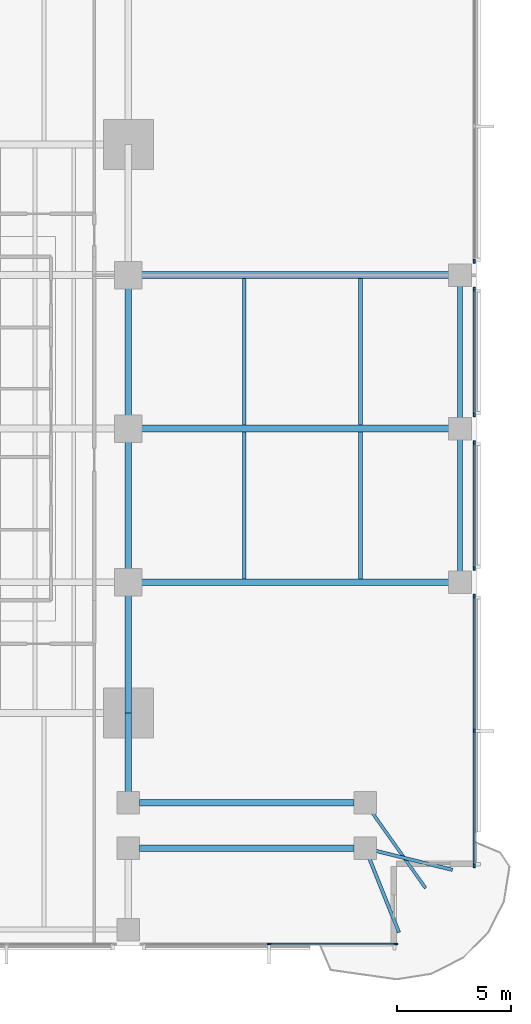
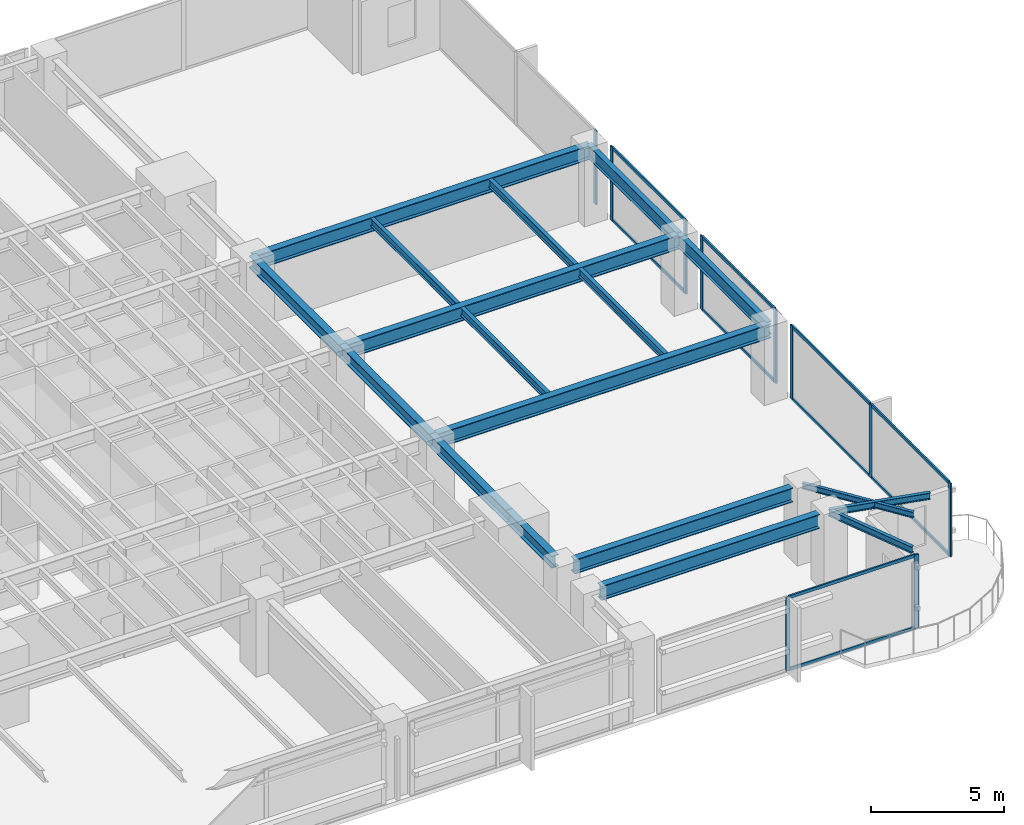
# One storey, part 4 of 15: 20 members, 18 beams, 5 elements without a shape of their own.
"""IFC4 building model written with IfcOpenShell, lengths in metres."""

from ifc_helpers import new_model, si_unit, direction, frame, origin, origin_2d, place, context, subcontext, project, spatial, rectangle, i_section, extrude, material, layer, layer_set, material_profile, profile_set, type_object, element, aggregate, save


model = new_model("IFC4")

# Units and contexts
model_context = context("Model", 3, precision=1e-05, world=origin(), true_north=direction((0.0, 1.0)))
body_context = subcontext(model_context, "Body", "Model", "MODEL_VIEW")
ifc_project = project(units=[si_unit("LENGTHUNIT", "METRE"), si_unit("AREAUNIT", "SQUARE_METRE"), si_unit("VOLUMEUNIT", "CUBIC_METRE"), si_unit("PLANEANGLEUNIT", "RADIAN"), si_unit("MASSUNIT", "GRAM", prefix="KILO")], contexts=[model_context])

# Site, building, storey
site_placement = place(None, origin())
site = spatial("IfcSite", under=ifc_project, at=site_placement, CompositionType="ELEMENT")
building_placement = place(site_placement, origin())
building = spatial("IfcBuilding", under=site, at=building_placement, Name="Kinhvarn Gate Tower", CompositionType="ELEMENT")
storey_placement = place(building_placement, frame((0.0, 0.0, 75.300048828125)))
storey = spatial("IfcBuildingStorey", under=building, at=storey_placement, Name="L19", CompositionType="ELEMENT", Elevation=75.300048828125)

# Curtain wall, members
ifc_material_1 = material(Name="Anodised aluminium AW-6063", Category="aluminium")
ifc_layer = layer(ifc_material_1, 0.179931640625)
ifc_layer_set = layer_set([ifc_layer], Name="Anodised aluminium AW-6063")
curtain_wall_type = type_object("IfcCurtainWallType", Name="CW-SYS-2", PredefinedType="NOTDEFINED", material=ifc_layer_set)
curtain_wall_1_placement = place(storey_placement, origin())
curtain_wall_1 = element("IfcCurtainWall", 1, at=curtain_wall_1_placement, inside=storey, type_object=curtain_wall_type, Name="Curtain Wall CW2 (L19)", PredefinedType="NOTDEFINED")
ifc_material_profile_1 = material_profile(ifc_material_1, rectangle(XDim=0.070068359375, YDim=0.179931640625, at=origin_2d()), Name="ALU 70x180")
ifc_profile_set_1 = profile_set([ifc_material_profile_1], Name="Anodised aluminium AW-6063")
member_type_1 = type_object("IfcMemberType", Name="CW-MUL-180", PredefinedType="MULLION", material=ifc_profile_set_1)
member_1_placement = place(storey_placement, frame((44.389892578125, 2.590087890625, 0.0), z_axis=(0.0, 0.0, 1.0), x_axis=(0.0, 1.0, 0.0)))
member_1 = element("IfcMember", 2, at=member_1_placement, type_object=member_type_1, Name="CW2 mullion 2", PredefinedType="MULLION", context=body_context, shape_type="SweptSolid", body=[
    extrude(rectangle(XDim=0.070068359375, YDim=0.179931640625, at=origin_2d()), origin(), (0.0, 0.0, 1.0), 3.369873046875),
])
member_2_placement = place(storey_placement, frame((49.965087890625, 2.590087890625, 0.0), z_axis=(0.0, 0.0, 1.0), x_axis=(0.0, 1.0, 0.0)))
member_2 = element("IfcMember", 3, at=member_2_placement, type_object=member_type_1, Name="CW2 mullion 3", PredefinedType="MULLION", context=body_context, shape_type="SweptSolid", body=[
    extrude(rectangle(XDim=0.070068359375, YDim=0.179931640625, at=origin_2d()), origin(), (0.0, 0.0, 1.0), 3.369873046875),
])

curtain_wall_2_placement = place(storey_placement, origin())
curtain_wall_2 = element("IfcCurtainWall", 4, at=curtain_wall_2_placement, inside=storey, type_object=curtain_wall_type, Name="Curtain Wall CW2 (L19)", PredefinedType="NOTDEFINED")
member_3_placement = place(storey_placement, frame((53.409912109375, 6.034912109375, 0.0), z_axis=(0.0, 0.0, 1.0), x_axis=(-1.0, 0.0, 0.0)))
member_3 = element("IfcMember", 5, at=member_3_placement, type_object=member_type_1, Name="CW2 mullion 1", PredefinedType="MULLION", context=body_context, shape_type="SweptSolid", body=[
    extrude(rectangle(XDim=0.070068359375, YDim=0.179931640625, at=origin_2d()), origin(), (0.0, 0.0, 1.0), 3.369873046875),
])
member_4_placement = place(storey_placement, frame((53.409912109375, 11.9599609375, 0.0), z_axis=(0.0, 0.0, 1.0), x_axis=(-1.0, 0.0, 0.0)))
member_4 = element("IfcMember", 6, at=member_4_placement, type_object=member_type_1, Name="CW2 mullion 2", PredefinedType="MULLION", context=body_context, shape_type="SweptSolid", body=[
    extrude(rectangle(XDim=0.070068359375, YDim=0.179931640625, at=origin_2d()), origin(), (0.0, 0.0, 1.0), 3.369873046875),
])
member_5_placement = place(storey_placement, frame((53.409912109375, 17.885009765625, 0.0), z_axis=(0.0, 0.0, 1.0), x_axis=(-1.0, 0.0, 0.0)))
member_5 = element("IfcMember", 7, at=member_5_placement, type_object=member_type_1, Name="CW2 mullion 3", PredefinedType="MULLION", context=body_context, shape_type="SweptSolid", body=[
    extrude(rectangle(XDim=0.070068359375, YDim=0.179931640625, at=origin_2d()), origin(), (0.0, 0.0, 1.0), 3.369873046875),
])

curtain_wall_3_placement = place(storey_placement, origin())
curtain_wall_3 = element("IfcCurtainWall", 8, at=curtain_wall_3_placement, inside=storey, type_object=curtain_wall_type, Name="Curtain Wall CW2 (L19)", PredefinedType="NOTDEFINED")
member_6_placement = place(storey_placement, frame((53.409912109375, 19.114990234375, 0.0), z_axis=(0.0, 0.0, 1.0), x_axis=(-1.0, 0.0, 0.0)))
member_6 = element("IfcMember", 9, at=member_6_placement, type_object=member_type_1, Name="CW2 mullion 1", PredefinedType="MULLION", context=body_context, shape_type="SweptSolid", body=[
    extrude(rectangle(XDim=0.070068359375, YDim=0.179931640625, at=origin_2d()), origin(), (0.0, 0.0, 1.0), 3.369873046875),
])
member_7_placement = place(storey_placement, frame((53.409912109375, 24.635009765625, 0.0), z_axis=(0.0, 0.0, 1.0), x_axis=(-1.0, 0.0, 0.0)))
member_7 = element("IfcMember", 10, at=member_7_placement, type_object=member_type_1, Name="CW2 mullion 2", PredefinedType="MULLION", context=body_context, shape_type="SweptSolid", body=[
    extrude(rectangle(XDim=0.070068359375, YDim=0.179931640625, at=origin_2d()), origin(), (0.0, 0.0, 1.0), 3.369873046875),
])

curtain_wall_4_placement = place(storey_placement, origin())
curtain_wall_4 = element("IfcCurtainWall", 11, at=curtain_wall_4_placement, inside=storey, type_object=curtain_wall_type, Name="Curtain Wall CW2 (L19)", PredefinedType="NOTDEFINED")
member_8_placement = place(storey_placement, frame((53.409912109375, 25.864990234375, 0.0), z_axis=(0.0, 0.0, 1.0), x_axis=(-1.0, 0.0, 0.0)))
member_8 = element("IfcMember", 12, at=member_8_placement, type_object=member_type_1, Name="CW2 mullion 1", PredefinedType="MULLION", context=body_context, shape_type="SweptSolid", body=[
    extrude(rectangle(XDim=0.070068359375, YDim=0.179931640625, at=origin_2d()), origin(), (0.0, 0.0, 1.0), 3.369873046875),
])
member_9_placement = place(storey_placement, frame((53.409912109375, 31.385009765625, 0.0), z_axis=(0.0, 0.0, 1.0), x_axis=(-1.0, 0.0, 0.0)))
member_9 = element("IfcMember", 13, at=member_9_placement, type_object=member_type_1, Name="CW2 mullion 2", PredefinedType="MULLION", context=body_context, shape_type="SweptSolid", body=[
    extrude(rectangle(XDim=0.070068359375, YDim=0.179931640625, at=origin_2d()), origin(), (0.0, 0.0, 1.0), 3.369873046875),
])

# Curtain wall, member
curtain_wall_5_placement = place(storey_placement, origin())
curtain_wall_5 = element("IfcCurtainWall", 14, at=curtain_wall_5_placement, inside=storey, type_object=curtain_wall_type, Name="Curtain Wall CW2 (L19)", PredefinedType="NOTDEFINED")
member_10_placement = place(storey_placement, frame((53.409912109375, 32.614990234375, 0.0), z_axis=(0.0, 0.0, 1.0), x_axis=(-1.0, 0.0, 0.0)))
member_10 = element("IfcMember", 15, at=member_10_placement, type_object=member_type_1, Name="CW2 mullion 1", PredefinedType="MULLION", context=body_context, shape_type="SweptSolid", body=[
    extrude(rectangle(XDim=0.070068359375, YDim=0.179931640625, at=origin_2d()), origin(), (0.0, 0.0, 1.0), 3.369873046875),
])
aggregate(curtain_wall_5, [member_10])

# Member
ifc_material_profile_2 = material_profile(ifc_material_1, rectangle(XDim=0.070068359375, YDim=0.139892578125, at=origin_2d()), Name="ALU 70x140")
ifc_profile_set_2 = profile_set([ifc_material_profile_2], Name="Anodised aluminium AW-6063")
member_type_2 = type_object("IfcMemberType", Name="CW-TRN-140", PredefinedType="USERDEFINED", material=ifc_profile_set_2)
member_11_placement = place(storey_placement, frame((44.425048828125, 2.590087890625, 0.034912109375), z_axis=(1.0, 0.0, 0.0), x_axis=(0.0, 1.0, 0.0)))
member_11 = element("IfcMember", 16, at=member_11_placement, type_object=member_type_2, Name="CW2 transom 2.1", ObjectType="TRANSOM", PredefinedType="USERDEFINED", context=body_context, shape_type="SweptSolid", body=[
    extrude(rectangle(XDim=0.070068359375, YDim=0.139892578125, at=origin_2d()), origin(), (0.0, 0.0, 1.0), 5.5048828125),
])

member_12_placement = place(storey_placement, frame((44.425048828125, 2.590087890625, 3.3349609375), z_axis=(1.0, 0.0, 0.0), x_axis=(0.0, 1.0, 0.0)))
member_12 = element("IfcMember", 17, at=member_12_placement, type_object=member_type_2, Name="CW2 transom 2.2", ObjectType="TRANSOM", PredefinedType="USERDEFINED", context=body_context, shape_type="SweptSolid", body=[
    extrude(rectangle(XDim=0.070068359375, YDim=0.139892578125, at=origin_2d()), origin(), (0.0, 0.0, 1.0), 5.5048828125),
])

aggregate(curtain_wall_1, [member_1, member_2, member_11, member_12])

member_13_placement = place(storey_placement, frame((53.409912109375, 6.070068359375, 0.034912109375), z_axis=(0.0, 1.0, 0.0), x_axis=(-1.0, 0.0, 0.0)))
member_13 = element("IfcMember", 18, at=member_13_placement, type_object=member_type_2, Name="CW2 transom 1.1", ObjectType="TRANSOM", PredefinedType="USERDEFINED", context=body_context, shape_type="SweptSolid", body=[
    extrude(rectangle(XDim=0.070068359375, YDim=0.139892578125, at=origin_2d()), origin(), (0.0, 0.0, 1.0), 5.85498046875),
])

member_14_placement = place(storey_placement, frame((53.409912109375, 6.070068359375, 3.3349609375), z_axis=(0.0, 1.0, 0.0), x_axis=(-1.0, 0.0, 0.0)))
member_14 = element("IfcMember", 19, at=member_14_placement, type_object=member_type_2, Name="CW2 transom 1.2", ObjectType="TRANSOM", PredefinedType="USERDEFINED", context=body_context, shape_type="SweptSolid", body=[
    extrude(rectangle(XDim=0.070068359375, YDim=0.139892578125, at=origin_2d()), origin(), (0.0, 0.0, 1.0), 5.85498046875),
])

member_15_placement = place(storey_placement, frame((53.409912109375, 11.9951171875, 0.034912109375), z_axis=(0.0, 1.0, 0.0), x_axis=(-1.0, 0.0, 0.0)))
member_15 = element("IfcMember", 20, at=member_15_placement, type_object=member_type_2, Name="CW2 transom 2.1", ObjectType="TRANSOM", PredefinedType="USERDEFINED", context=body_context, shape_type="SweptSolid", body=[
    extrude(rectangle(XDim=0.070068359375, YDim=0.139892578125, at=origin_2d()), origin(), (0.0, 0.0, 1.0), 5.85498046875),
])

member_16_placement = place(storey_placement, frame((53.409912109375, 11.9951171875, 3.3349609375), z_axis=(0.0, 1.0, 0.0), x_axis=(-1.0, 0.0, 0.0)))
member_16 = element("IfcMember", 21, at=member_16_placement, type_object=member_type_2, Name="CW2 transom 2.2", ObjectType="TRANSOM", PredefinedType="USERDEFINED", context=body_context, shape_type="SweptSolid", body=[
    extrude(rectangle(XDim=0.070068359375, YDim=0.139892578125, at=origin_2d()), origin(), (0.0, 0.0, 1.0), 5.85498046875),
])

aggregate(curtain_wall_2, [member_3, member_4, member_5, member_13, member_14, member_15, member_16])

member_17_placement = place(storey_placement, frame((53.409912109375, 19.14990234375, 0.034912109375), z_axis=(0.0, 1.0, 0.0), x_axis=(-1.0, 0.0, 0.0)))
member_17 = element("IfcMember", 22, at=member_17_placement, type_object=member_type_2, Name="CW2 transom 1.1", ObjectType="TRANSOM", PredefinedType="USERDEFINED", context=body_context, shape_type="SweptSolid", body=[
    extrude(rectangle(XDim=0.070068359375, YDim=0.139892578125, at=origin_2d()), origin(), (0.0, 0.0, 1.0), 5.4501953125),
])

member_18_placement = place(storey_placement, frame((53.409912109375, 19.14990234375, 3.3349609375), z_axis=(0.0, 1.0, 0.0), x_axis=(-1.0, 0.0, 0.0)))
member_18 = element("IfcMember", 23, at=member_18_placement, type_object=member_type_2, Name="CW2 transom 1.2", ObjectType="TRANSOM", PredefinedType="USERDEFINED", context=body_context, shape_type="SweptSolid", body=[
    extrude(rectangle(XDim=0.070068359375, YDim=0.139892578125, at=origin_2d()), origin(), (0.0, 0.0, 1.0), 5.4501953125),
])

aggregate(curtain_wall_3, [member_6, member_7, member_17, member_18])

member_19_placement = place(storey_placement, frame((53.409912109375, 25.89990234375, 0.034912109375), z_axis=(0.0, 1.0, 0.0), x_axis=(-1.0, 0.0, 0.0)))
member_19 = element("IfcMember", 24, at=member_19_placement, type_object=member_type_2, Name="CW2 transom 1.1", ObjectType="TRANSOM", PredefinedType="USERDEFINED", context=body_context, shape_type="SweptSolid", body=[
    extrude(rectangle(XDim=0.070068359375, YDim=0.139892578125, at=origin_2d()), origin(), (0.0, 0.0, 1.0), 5.4501953125),
])

member_20_placement = place(storey_placement, frame((53.409912109375, 25.89990234375, 3.3349609375), z_axis=(0.0, 1.0, 0.0), x_axis=(-1.0, 0.0, 0.0)))
member_20 = element("IfcMember", 25, at=member_20_placement, type_object=member_type_2, Name="CW2 transom 1.2", ObjectType="TRANSOM", PredefinedType="USERDEFINED", context=body_context, shape_type="SweptSolid", body=[
    extrude(rectangle(XDim=0.070068359375, YDim=0.139892578125, at=origin_2d()), origin(), (0.0, 0.0, 1.0), 5.4501953125),
])

aggregate(curtain_wall_4, [member_8, member_9, member_19, member_20])

# Beams
ifc_material_2 = material(Name="Steel S355", Category="steel")
ifc_material_profile_3 = material_profile(ifc_material_2, i_section(OverallWidth=0.300048828125, OverallDepth=0.550048828125, WebThickness=0.014892578125, FlangeThickness=0.029052734375, at=origin_2d()), Name="HEB 550")
ifc_profile_set_3 = profile_set([ifc_material_profile_3], Name="Steel S355")
beam_type_1 = type_object("IfcBeamType", Name="STL-HEB550", PredefinedType="BEAM", material=ifc_profile_set_3)
beam_1_placement = place(storey_placement, frame((38.199951171875, 9.284912109375, 3.094970703125), z_axis=(0.0, 1.0, 0.0), x_axis=(-1.0, 0.0, 0.0)))
element("IfcBeam", 26, at=beam_1_placement, inside=storey, type_object=beam_type_1, Name="Floor Beam PG-15 (L19 MCE-S-A2)", PredefinedType="BEAM", context=body_context, shape_type="SweptSolid", body=[
    extrude(i_section(OverallWidth=0.300048828125, OverallDepth=0.550048828125, WebThickness=0.014892578125, FlangeThickness=0.029052734375, at=origin_2d()), origin(), (0.0, 0.0, 1.0), 3.465087890625),
])
beam_2_placement = place(storey_placement, frame((38.199951171875, 12.75, 3.094970703125), z_axis=(0.0, 1.0, 0.0), x_axis=(-1.0, 0.0, 0.0)))
element("IfcBeam", 27, at=beam_2_placement, inside=storey, type_object=beam_type_1, Name="Floor Beam PG-15 (L19 MG-E-12)", PredefinedType="BEAM", context=body_context, shape_type="SweptSolid", body=[
    extrude(i_section(OverallWidth=0.300048828125, OverallDepth=0.550048828125, WebThickness=0.014892578125, FlangeThickness=0.029052734375, at=origin_2d()), origin(), (0.0, 0.0, 1.0), 5.75),
])
for number, where, z_axis, x_axis, name in (
    (28, (38.199951171875, 18.5, 3.094970703125), (0.0, 1.0, 0.0), (-1.0, 0.0, 0.0), "Floor Beam PG-15 (L19 MG-E-18)"),
    (29, (38.199951171875, 25.25, 3.094970703125), (0.0, 1.0, 0.0), (-1.0, 0.0, 0.0), "Floor Beam PG-15 (L19 MG-E-25)"),
):
    element("IfcBeam", number, at=place(storey_placement, frame(where, z_axis=z_axis, x_axis=x_axis)), inside=storey, type_object=beam_type_1, Name=name, PredefinedType="BEAM", context=body_context, shape_type="SweptSolid", body=[
        extrude(i_section(OverallWidth=0.300048828125, OverallDepth=0.550048828125, WebThickness=0.014892578125, FlangeThickness=0.029052734375, at=origin_2d()), origin(), (0.0, 0.0, 1.0), 6.75),
    ])
ifc_material_profile_4 = material_profile(ifc_material_2, i_section(OverallWidth=0.300048828125, OverallDepth=0.64990234375, WebThickness=0.01611328125, FlangeThickness=0.031005859375, at=origin_2d()), Name="HEB 650")
ifc_profile_set_4 = profile_set([ifc_material_profile_4], Name="Steel S355")
beam_type_2 = type_object("IfcBeamType", Name="STL-HEB650", PredefinedType="BEAM", material=ifc_profile_set_4)
for number, where, z_axis, x_axis, name in (
    (30, (38.68505859375, 8.800048828125, 3.044921875), (1.0, 0.0, 0.0), (0.0, 1.0, 0.0), "Floor Beam PG-17 (L19 SP-SE1B)"),
    (31, (38.68505859375, 6.800048828125, 3.044921875), (1.0, 0.0, 0.0), (0.0, 1.0, 0.0), "Floor Beam PG-17 (L19 SP-SE1A)"),
):
    element("IfcBeam", number, at=place(storey_placement, frame(where, z_axis=z_axis, x_axis=x_axis)), inside=storey, type_object=beam_type_2, Name=name, PredefinedType="BEAM", context=body_context, shape_type="SweptSolid", body=[
        extrude(i_section(OverallWidth=0.300048828125, OverallDepth=0.64990234375, WebThickness=0.01611328125, FlangeThickness=0.031005859375, at=origin_2d()), origin(), (0.0, 0.0, 1.0), 9.449951171875),
    ])
for number, where, z_axis, x_axis, name in (
    (32, (38.199951171875, 18.5, 3.044921875), (1.0, 0.0, 0.0), (0.0, 1.0, 0.0), "Floor Beam PG-17 (L19 EW2-Y18)"),
    (33, (38.199951171875, 25.25, 3.044921875), (1.0, 0.0, 0.0), (0.0, 1.0, 0.0), "Floor Beam PG-17 (L19 EW2-Y25)"),
    (34, (38.199951171875, 32.0, 3.044921875), (1.0, 0.0, 0.0), (0.0, 1.0, 0.0), "Floor Beam PG-17 (L19 EW2-Y32)"),
):
    element("IfcBeam", number, at=place(storey_placement, frame(where, z_axis=z_axis, x_axis=x_axis)), inside=storey, type_object=beam_type_2, Name=name, PredefinedType="BEAM", context=body_context, shape_type="SweptSolid", body=[
        extrude(i_section(OverallWidth=0.300048828125, OverallDepth=0.64990234375, WebThickness=0.01611328125, FlangeThickness=0.031005859375, at=origin_2d()), origin(), (0.0, 0.0, 1.0), 14.580078125),
    ])
ifc_material_profile_5 = material_profile(ifc_material_2, i_section(OverallWidth=0.135009765625, OverallDepth=0.27001953125, WebThickness=0.006591796875, FlangeThickness=0.01025390625, at=origin_2d()), Name="IPE 270")
ifc_profile_set_5 = profile_set([ifc_material_profile_5], Name="Steel S355")
beam_type_3 = type_object("IfcBeamType", Name="STL-IPE270", PredefinedType="JOIST", material=ifc_profile_set_5)
beam_3_placement = place(storey_placement, frame((48.6201171875, 8.800048828125, 3.23486328125), z_axis=(0.57709644225, -0.81667600451, 0.0), x_axis=(0.81667600451, 0.57709644225, 0.0)))
element("IfcBeam", 35, at=beam_3_placement, inside=storey, type_object=beam_type_3, Name="Floor Joist SB-01 (L19 BAL-B3-L20)", PredefinedType="JOIST", context=body_context, shape_type="SweptSolid", body=[
    extrude(i_section(OverallWidth=0.135009765625, OverallDepth=0.27001953125, WebThickness=0.006591796875, FlangeThickness=0.01025390625, at=origin_2d()), origin(), (0.0, 0.0, 1.0), 4.591796875),
])
ifc_material_profile_6 = material_profile(ifc_material_2, i_section(OverallWidth=0.14990234375, OverallDepth=0.300048828125, WebThickness=0.007080078125, FlangeThickness=0.0107421875, at=origin_2d()), Name="IPE 300")
ifc_profile_set_6 = profile_set([ifc_material_profile_6], Name="Steel S355")
beam_type_4 = type_object("IfcBeamType", Name="STL-IPE300", PredefinedType="JOIST", material=ifc_profile_set_6)
beam_4_placement = place(storey_placement, frame((48.6201171875, 6.800048828125, 3.219970703125), z_axis=(0.97058851083, -0.240744558911, 0.0), x_axis=(0.240744558911, 0.97058851083, 0.0)))
element("IfcBeam", 36, at=beam_4_placement, inside=storey, type_object=beam_type_4, Name="Floor Joist SB-02 (L19 BAL-B1-L20)", PredefinedType="JOIST", context=body_context, shape_type="SweptSolid", body=[
    extrude(i_section(OverallWidth=0.14990234375, OverallDepth=0.300048828125, WebThickness=0.007080078125, FlangeThickness=0.0107421875, at=origin_2d()), origin(), (0.0, 0.0, 1.0), 3.94580078125),
])
beam_5_placement = place(storey_placement, frame((48.6201171875, 6.800048828125, 3.219970703125), z_axis=(0.371390676354, -0.928476690885, 0.0), x_axis=(0.928476690885, 0.371390676354, 0.0)))
element("IfcBeam", 37, at=beam_5_placement, inside=storey, type_object=beam_type_4, Name="Floor Joist SB-02 (L19 BAL-B2-L20)", PredefinedType="JOIST", context=body_context, shape_type="SweptSolid", body=[
    extrude(i_section(OverallWidth=0.14990234375, OverallDepth=0.300048828125, WebThickness=0.007080078125, FlangeThickness=0.0107421875, at=origin_2d()), origin(), (0.0, 0.0, 1.0), 3.98486328125),
])
ifc_material_profile_7 = material_profile(ifc_material_2, i_section(OverallWidth=0.169921875, OverallDepth=0.360107421875, WebThickness=0.008056640625, FlangeThickness=0.0126953125, at=origin_2d()), Name="IPE 360")
ifc_profile_set_7 = profile_set([ifc_material_profile_7], Name="Steel S355")
beam_type_5 = type_object("IfcBeamType", Name="STL-IPE360", PredefinedType="JOIST", material=ifc_profile_set_7)
for number, where, z_axis, x_axis, name in (
    (38, (43.300048828125, 18.64990234375, 3.18994140625), (0.0, 1.0, 0.0), (-1.0, 0.0, 0.0), "Floor Joist SB-04 (L19 JC-X433-1)"),
    (39, (43.300048828125, 25.39990234375, 3.18994140625), (0.0, 1.0, 0.0), (-1.0, 0.0, 0.0), "Floor Joist SB-04 (L19 JC-X433-2)"),
    (40, (48.409912109375, 18.64990234375, 3.18994140625), (0.0, 1.0, 0.0), (-1.0, 0.0, 0.0), "Floor Joist SB-04 (L19 JC-X484-1)"),
    (41, (48.409912109375, 25.39990234375, 3.18994140625), (0.0, 1.0, 0.0), (-1.0, 0.0, 0.0), "Floor Joist SB-04 (L19 JC-X484-2)"),
):
    element("IfcBeam", number, at=place(storey_placement, frame(where, z_axis=z_axis, x_axis=x_axis)), inside=storey, type_object=beam_type_5, Name=name, PredefinedType="JOIST", context=body_context, shape_type="SweptSolid", body=[
        extrude(i_section(OverallWidth=0.169921875, OverallDepth=0.360107421875, WebThickness=0.008056640625, FlangeThickness=0.0126953125, at=origin_2d()), origin(), (0.0, 0.0, 1.0), 6.4501953125),
    ])
ifc_material_profile_8 = material_profile(ifc_material_2, i_section(OverallWidth=0.219970703125, OverallDepth=0.60009765625, WebThickness=0.011962890625, FlangeThickness=0.01904296875, at=origin_2d()), Name="IPE 600")
ifc_profile_set_8 = profile_set([ifc_material_profile_8], Name="Steel S355")
beam_type_6 = type_object("IfcBeamType", Name="STL-IPE600", PredefinedType="SPANDREL", material=ifc_profile_set_8)
for number, where, z_axis, x_axis, name in (
    (42, (52.780029296875, 18.5, 3.070068359375), (0.0, 1.0, 0.0), (-1.0, 0.0, 0.0), "Floor Spandrel SB-09 (L19 SP-E2)"),
    (43, (52.780029296875, 25.25, 3.070068359375), (0.0, 1.0, 0.0), (-1.0, 0.0, 0.0), "Floor Spandrel SB-09 (L19 SP-E3)"),
):
    element("IfcBeam", number, at=place(storey_placement, frame(where, z_axis=z_axis, x_axis=x_axis)), inside=storey, type_object=beam_type_6, Name=name, PredefinedType="SPANDREL", context=body_context, shape_type="SweptSolid", body=[
        extrude(i_section(OverallWidth=0.219970703125, OverallDepth=0.60009765625, WebThickness=0.011962890625, FlangeThickness=0.01904296875, at=origin_2d()), origin(), (0.0, 0.0, 1.0), 6.75),
    ])

save(model, "model.ifc")
